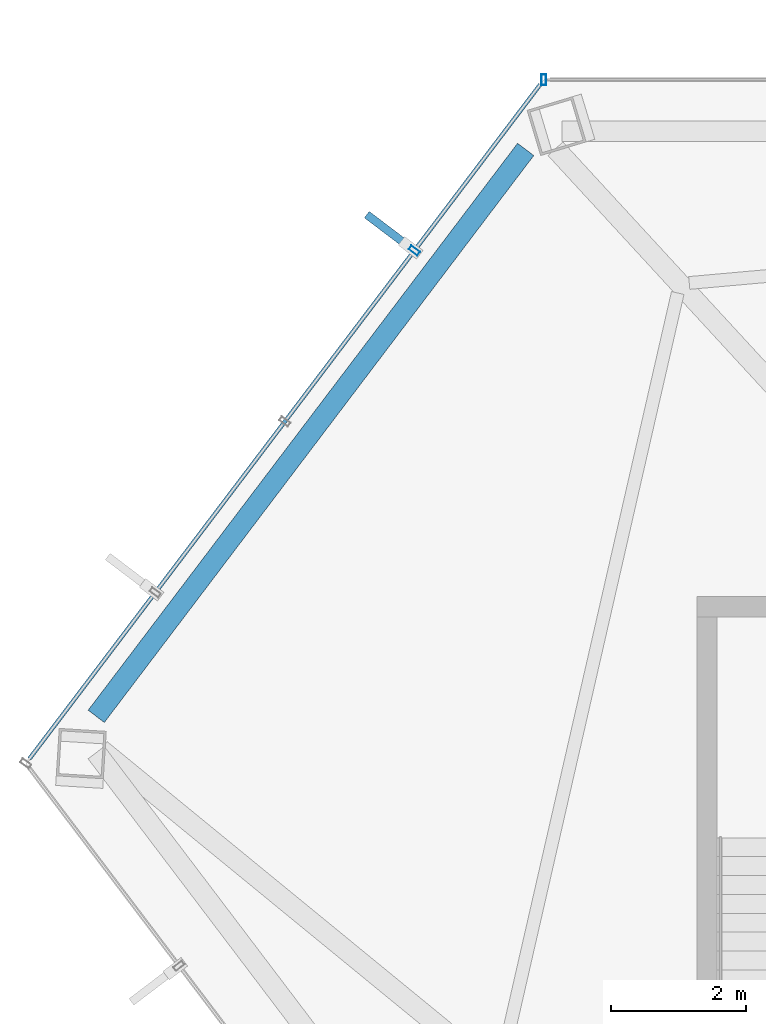
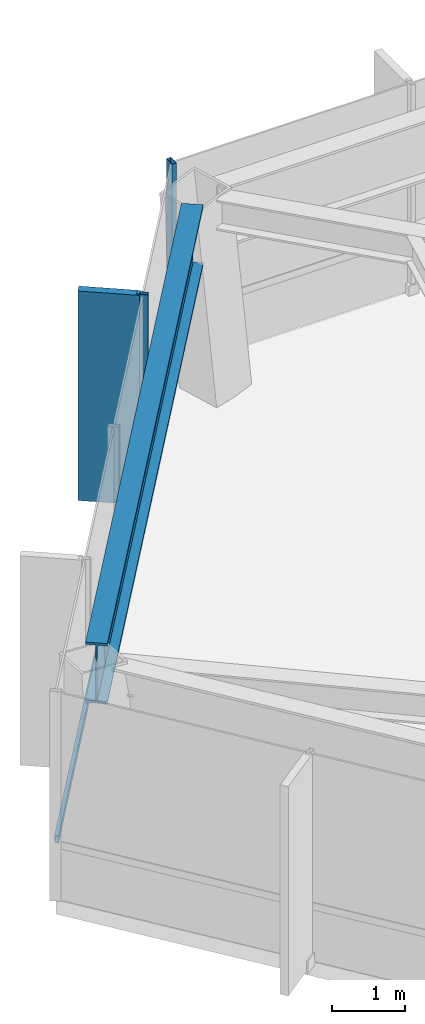
# One storey, part 11 of 27: 4 members, 1 beam, 2 elements without a shape of their own.
"""IFC4 building model written with IfcOpenShell, lengths in metres."""

import ifcopenshell
import ifcopenshell.guid

model = None  # the IFC model being written
_history = None  # IfcOwnerHistory: only IFC2X3 demands one
_inside = {}  # id of a spatial element -> (the spatial element, [elements in it])
_under = {}  # id of a project, library or spatial element -> (it, [spatial elements below it])
_declared = {}  # id of a project -> (the project, [libraries it declares])
_typed = {}  # id of a type object -> (the type object, [elements of that type])
_made_of = {}  # id of a material, layer set ... -> (it, [elements and type objects made of it])


def new_model(schema):
    """Start an empty IFC model of exactly this schema.

    Asked for "IFC4X3", IfcOpenShell would pick the latest addendum, in which some entities
    have other attributes; the version numbers below select the first issue.
    IFC2X3 requires an IfcOwnerHistory on every rooted entity: one is made here for all.
    """
    global model, _history
    if schema == "IFC4X3":
        model = ifcopenshell.file(schema_version=(4, 3, 0, 0))
    else:
        model = ifcopenshell.file(schema=schema)
    _inside.clear()
    _under.clear()
    _declared.clear()
    _typed.clear()
    _made_of.clear()
    _history = None
    if model.schema == "IFC2X3":
        org = make("IfcOrganization", Name="unknown")
        user = make(
            "IfcPersonAndOrganization",
            ThePerson=make("IfcPerson", FamilyName="unknown"),
            TheOrganization=org,
        )
        app = make(
            "IfcApplication",
            ApplicationDeveloper=org,
            Version="unknown",
            ApplicationFullName="unknown",
            ApplicationIdentifier="unknown",
        )
        _history = make(
            "IfcOwnerHistory",
            OwningUser=user,
            OwningApplication=app,
            ChangeAction="ADDED",
            CreationDate=0,
        )
    return model


def make(cls, **values):
    """One entity of the class cls with the attributes given. An attribute that is None is left unset."""
    return model.create_entity(
        cls, **{name: value for name, value in values.items() if value is not None}
    )


def rooted(cls, **values):
    """An entity with a GlobalId (a new one), such as an element, a storey or a relation."""
    return make(cls, GlobalId=ifcopenshell.guid.new(), OwnerHistory=_history, **values)


def si_unit(unit_type, name, prefix=None):
    """IfcSIUnit, for example si_unit("LENGTHUNIT", "METRE", prefix="MILLI")."""
    return make("IfcSIUnit", UnitType=unit_type, Prefix=prefix, Name=name)


def assignment(units):
    """IfcUnitAssignment: the units of a project."""
    return None if units is None else make("IfcUnitAssignment", Units=units)


def point(xyz):
    """IfcCartesianPoint."""
    return None if xyz is None else make("IfcCartesianPoint", Coordinates=xyz)


def direction(xyz):
    """IfcDirection."""
    return None if xyz is None else make("IfcDirection", DirectionRatios=xyz)


def frame(location, z_axis=None, x_axis=None):
    """IfcAxis2Placement3D, a coordinate frame: its origin and axes. An axis left out is left unset."""
    return make(
        "IfcAxis2Placement3D",
        Location=point(location),
        Axis=direction(z_axis),
        RefDirection=direction(x_axis),
    )


def frame_2d(location, x_axis=None):
    """IfcAxis2Placement2D, a coordinate frame in the plane: its origin and x axis."""
    return make(
        "IfcAxis2Placement2D", Location=point(location), RefDirection=direction(x_axis)
    )


def origin():
    """The frame at (0, 0, 0) with its axes left unset."""
    return frame((0.0, 0.0, 0.0))


def origin_2d():
    """The frame at (0, 0) in the plane with its x axis left unset."""
    return frame_2d((0.0, 0.0))


def place(relative_to, where):
    """IfcLocalPlacement: puts the frame where relative to a parent placement (None: the world)."""
    return make(
        "IfcLocalPlacement", PlacementRelTo=relative_to, RelativePlacement=where
    )


def context(
    kind, dimensions, precision=None, world=None, true_north=None, identifier=None
):
    """IfcGeometricRepresentationContext, for example the 3D "Model" context."""
    return make(
        "IfcGeometricRepresentationContext",
        ContextIdentifier=identifier,
        ContextType=kind,
        CoordinateSpaceDimension=dimensions,
        Precision=precision,
        WorldCoordinateSystem=world,
        TrueNorth=true_north,
    )


def subcontext(parent, identifier, kind, view, scale=None):
    """IfcGeometricRepresentationSubContext, for example "Body" below "Model"."""
    return make(
        "IfcGeometricRepresentationSubContext",
        ContextIdentifier=identifier,
        ContextType=kind,
        ParentContext=parent,
        TargetScale=scale,
        TargetView=view,
    )


def project(units=None, contexts=None):
    """IfcProject with its units and contexts."""
    return rooted(
        "IfcProject",
        Name="project",
        RepresentationContexts=contexts,
        UnitsInContext=assignment(units),
    )


def spatial(cls, under=None, at=None, **own):
    """A site, building, storey or space (cls), placed at a placement, below another one or the project."""
    s = rooted(cls, ObjectPlacement=at, **own)
    if under is not None:
        _under.setdefault(under.id(), (under, []))[1].append(s)
    return s


def profile(cls, at=None, kind="AREA", **sizes):
    """A parametric profile (cls). Its sizes go by their IFC names, for example OverallWidth=200.0."""
    return make(cls, ProfileType=kind, Position=at, **sizes)


def rectangle(**sizes):
    """IfcRectangleProfileDef."""
    return profile("IfcRectangleProfileDef", **sizes)


def hollow_rectangle(**sizes):
    """IfcRectangleHollowProfileDef."""
    return profile("IfcRectangleHollowProfileDef", **sizes)


def i_section(**sizes):
    """IfcIShapeProfileDef."""
    return profile("IfcIShapeProfileDef", **sizes)


def extrude(swept, where, along, depth):
    """IfcExtrudedAreaSolid: the profile swept, set in the frame where, extruded along a direction by depth."""
    return make(
        "IfcExtrudedAreaSolid",
        SweptArea=swept,
        Position=where,
        ExtrudedDirection=direction(along),
        Depth=depth,
    )


def shape(context_of_items, identifier, shape_type, items):
    """IfcShapeRepresentation: the items that make up one representation, for example the "Body"."""
    return make(
        "IfcShapeRepresentation",
        ContextOfItems=context_of_items,
        RepresentationIdentifier=identifier,
        RepresentationType=shape_type,
        Items=items,
    )


def material(Name=None, Category=None):
    """IfcMaterial."""
    return make("IfcMaterial", Name=Name, Category=Category)


def layer(
    of_material, thickness, ventilated=None, Name=None, Category=None, Priority=None
):
    """IfcMaterialLayer: one layer of a wall or slab, of a material (None: an air gap)."""
    return make(
        "IfcMaterialLayer",
        Material=of_material,
        LayerThickness=thickness,
        IsVentilated=ventilated,
        Name=Name,
        Category=Category,
        Priority=Priority,
    )


def layer_set(layers, Name=None):
    """IfcMaterialLayerSet."""
    return make("IfcMaterialLayerSet", MaterialLayers=layers, LayerSetName=Name)


def material_profile(
    of_material, cross_section, Name=None, Category=None, Priority=None
):
    """IfcMaterialProfile: a cross section and its material."""
    return make(
        "IfcMaterialProfile",
        Name=Name,
        Material=of_material,
        Profile=cross_section,
        Priority=Priority,
        Category=Category,
    )


def profile_set(profiles, Name=None, composite=None):
    """IfcMaterialProfileSet."""
    return make(
        "IfcMaterialProfileSet",
        Name=Name,
        MaterialProfiles=profiles,
        CompositeProfile=composite,
    )


def made_of(thing, what):
    """Note that an element or type object is made of a material, layer set ...; save() writes the relation."""
    if what is not None:
        _made_of.setdefault(what.id(), (what, []))[1].append(thing)
    return thing


def type_object(cls, material=None, **own):
    """A type object (cls), such as IfcWallType, which elements share."""
    return made_of(rooted(cls, **own), material)


def element(
    cls,
    number,
    at=None,
    inside=None,
    cuts=None,
    type_object=None,
    material=None,
    context=None,
    identifier="Body",
    shape_type=None,
    held_by="IfcProductDefinitionShape",
    body=None,
    shapes=None,
    **own,
):
    """One element of the class cls, such as IfcWall. Its Tag is "e" and its number.

    at: its placement. inside: the storey or other place that contains it. cuts: it is an
    opening in that element (IfcRelVoidsElement). A single representation is given by context,
    identifier, shape_type and body (its items); several are given by shapes. held_by: the class
    of the entity that holds the representations. save() writes the other relations.
    """
    e = rooted(cls, Tag="e%d" % number, ObjectPlacement=at, **own)
    if body is not None:
        shapes = [shape(context, identifier, shape_type, body)]
    if shapes is not None:
        e.Representation = make(held_by, Representations=shapes)
    if inside is not None:
        _inside.setdefault(inside.id(), (inside, []))[1].append(e)
    if cuts is not None:
        rooted(
            "IfcRelVoidsElement", RelatingBuildingElement=cuts, RelatedOpeningElement=e
        )
    if type_object is not None:
        _typed.setdefault(type_object.id(), (type_object, []))[1].append(e)
    return made_of(e, material)


def aggregate(whole, parts):
    """IfcRelAggregates: a whole, such as a stair, and the parts it consists of."""
    return rooted("IfcRelAggregates", RelatingObject=whole, RelatedObjects=parts)


def save(model, path):
    """Write the relations noted so far, then the file.

    IfcRelAggregates (storeys below a building ...), IfcRelContainedInSpatialStructure (elements
    in a storey), IfcRelDefinesByType, IfcRelAssociatesMaterial and IfcRelDeclares: one each for
    every whole, place, type object, material and project.
    """
    for whole, parts in _under.values():
        aggregate(whole, parts)
    for where, things in _inside.values():
        rooted(
            "IfcRelContainedInSpatialStructure",
            RelatedElements=things,
            RelatingStructure=where,
        )
    for kind, things in _typed.values():
        rooted("IfcRelDefinesByType", RelatedObjects=things, RelatingType=kind)
    for what, things in _made_of.values():
        rooted("IfcRelAssociatesMaterial", RelatedObjects=things, RelatingMaterial=what)
    for by, libraries in _declared.values():
        rooted("IfcRelDeclares", RelatingContext=by, RelatedDefinitions=libraries)
    model.write(path)


model = new_model("IFC4")

# Units and contexts
model_context = context("Model", 3, precision=1e-05, world=origin(), true_north=direction((0.0, 1.0)))
body_context = subcontext(model_context, "Body", "Model", "MODEL_VIEW")
ifc_project = project(units=[si_unit("LENGTHUNIT", "METRE"), si_unit("AREAUNIT", "SQUARE_METRE"), si_unit("VOLUMEUNIT", "CUBIC_METRE"), si_unit("PLANEANGLEUNIT", "RADIAN"), si_unit("MASSUNIT", "GRAM", prefix="KILO")], contexts=[model_context])

# Site, building, storey
site_placement = place(None, origin())
site = spatial("IfcSite", under=ifc_project, at=site_placement, CompositionType="ELEMENT")
building_placement = place(site_placement, origin())
building = spatial("IfcBuilding", under=site, at=building_placement, Name="Zarrinselat Tower", CompositionType="ELEMENT")
storey_placement = place(building_placement, frame((0.0, 0.0, 183.260009765625)))
storey = spatial("IfcBuildingStorey", under=building, at=storey_placement, Name="L45", CompositionType="ELEMENT", Elevation=183.260009765625)

# Beam
ifc_material_1 = material(Name="Steel S460M", Category="steel")
ifc_material_profile_1 = material_profile(ifc_material_1, i_section(OverallWidth=0.302001953125, OverallDepth=1.008056640625, WebThickness=0.02099609375, FlangeThickness=0.0400390625, at=origin_2d()), Name="HEM 1000")
ifc_profile_set_1 = profile_set([ifc_material_profile_1], Name="Steel S460M")
beam_type = type_object("IfcBeamType", Name="BM-HEM1000", PredefinedType="BEAM", material=ifc_profile_set_1)
beam_placement = place(storey_placement, frame((16.16650390625, 39.272216796875, 2.99609375), z_axis=(0.603841657077, 0.797104292535, 0.0), x_axis=(-0.797104292535, 0.603841657077, 0.0)))
element("IfcBeam", 1, at=beam_placement, inside=storey, type_object=beam_type, Name="L45 Perimeter Spandrel Girder SP05", PredefinedType="BEAM", context=body_context, shape_type="SweptSolid", body=[
    extrude(i_section(OverallWidth=0.302001953125, OverallDepth=1.008056640625, WebThickness=0.02099609375, FlangeThickness=0.0400390625, at=origin_2d()), origin(), (0.0, 0.0, 1.0), 10.555908203125),
])

# Curtain wall, member
ifc_material_2 = material(Name="Extruded Aluminium Alloy EN AW-6063 T6", Category="aluminium")
ifc_layer = layer(ifc_material_2, 0.175048828125)
ifc_layer_set = layer_set([ifc_layer], Name="Extruded Aluminium Alloy EN AW-6063 T6")
curtain_wall_type = type_object("IfcCurtainWallType", Name="CWS-HTL", PredefinedType="NOTDEFINED", material=ifc_layer_set)
curtain_wall_1_placement = place(storey_placement, origin())
curtain_wall_1 = element("IfcCurtainWall", 2, at=curtain_wall_1_placement, inside=storey, type_object=curtain_wall_type, Name="L45 Unitised Curtain Wall CW-L45-E01", PredefinedType="NOTDEFINED")
ifc_material_3 = material(Name="Extruded Aluminium Alloy EN AW-6063 T6", Category="aluminium")
ifc_material_profile_2 = material_profile(ifc_material_3, hollow_rectangle(XDim=0.070068359375, YDim=0.159912109375, WallThickness=0.00390625, at=origin_2d()), Name="RHS 160x70x4")
ifc_profile_set_2 = profile_set([ifc_material_profile_2], Name="Extruded Aluminium Alloy EN AW-6063 T6")
member_type_1 = type_object("IfcMemberType", Name="MEM-CW-MUL2", PredefinedType="MULLION", material=ifc_profile_set_2)
member_1_placement = place(storey_placement, frame((22.809814453125, 48.72216796875, 0.0), z_axis=(0.0, 0.0, 1.0), x_axis=(-1.0, 0.0, 0.0)))
member_1 = element("IfcMember", 3, at=member_1_placement, type_object=member_type_1, Name="CW-L45-E01 Mullion 10", PredefinedType="MULLION", context=body_context, shape_type="SweptSolid", body=[
    extrude(hollow_rectangle(XDim=0.070068359375, YDim=0.159912109375, WallThickness=0.00390625, at=origin_2d()), origin(), (0.0, 0.0, 1.0), 3.5),
])
aggregate(curtain_wall_1, [member_1])

# Curtain wall, members
curtain_wall_2_placement = place(storey_placement, origin())
curtain_wall_2 = element("IfcCurtainWall", 4, at=curtain_wall_2_placement, inside=storey, type_object=curtain_wall_type, Name="L45 Unitised Curtain Wall CW-L45-E02", PredefinedType="NOTDEFINED")
member_2_placement = place(storey_placement, frame((20.887451171875, 46.1845703125, 0.0), z_axis=(0.0, 0.0, 1.0), x_axis=(-0.603859048702, -0.797091117314, 0.0)))
member_2 = element("IfcMember", 5, at=member_2_placement, type_object=member_type_1, Name="CW-L45-E02 Mullion 1", PredefinedType="MULLION", context=body_context, shape_type="SweptSolid", body=[
    extrude(hollow_rectangle(XDim=0.070068359375, YDim=0.159912109375, WallThickness=0.00390625, at=origin_2d()), origin(), (0.0, 0.0, 1.0), 3.5),
])
ifc_material_4 = material(Name="Extruded Aluminium Alloy EN AW-6063 T6", Category="aluminium")
ifc_material_profile_3 = material_profile(ifc_material_4, hollow_rectangle(XDim=0.06005859375, YDim=0.1201171875, WallThickness=0.00390625, at=origin_2d()), Name="RHS 120x60x4")
ifc_profile_set_3 = profile_set([ifc_material_profile_3], Name="Extruded Aluminium Alloy EN AW-6063 T6")
member_type_2 = type_object("IfcMemberType", Name="MEM-CW-TRN2", PredefinedType="USERDEFINED", material=ifc_profile_set_3)
member_3_placement = place(storey_placement, frame((22.755615234375, 48.650390625, 0.949951171875), z_axis=(-0.603866673656, -0.797085340756, 0.0), x_axis=(0.797085340756, -0.603866673656, 0.0)))
member_3 = element("IfcMember", 6, at=member_3_placement, type_object=member_type_2, Name="CW-L45-E02 Transom 1", ObjectType="TRANSOM", PredefinedType="USERDEFINED", context=body_context, shape_type="SweptSolid", body=[
    extrude(hollow_rectangle(XDim=0.06005859375, YDim=0.1201171875, WallThickness=0.00390625, at=origin_2d()), origin(), (0.0, 0.0, 1.0), 12.5546875),
])
ifc_material_5 = material(Name="Honed Cream Travertine Stone", Category="masonry")
ifc_material_profile_4 = material_profile(ifc_material_5, rectangle(XDim=0.1201171875, YDim=0.85009765625, at=origin_2d()), Name="FIN 850x120")
ifc_profile_set_4 = profile_set([ifc_material_profile_4], Name="Honed Cream Travertine Stone")
member_type_3 = type_object("IfcMemberType", Name="MEM-STONE-FIN", PredefinedType="USERDEFINED", material=ifc_profile_set_4)
member_4_placement = place(storey_placement, frame((20.520751953125, 46.46240234375, 0.0), z_axis=(0.0, 0.0, 1.0), x_axis=(0.603859048702, 0.797091117314, 0.0)))
member_4 = element("IfcMember", 7, at=member_4_placement, type_object=member_type_3, Name="L45 Stone Shading Fin CW-L45-E02-01", ObjectType="FIN", PredefinedType="USERDEFINED", context=body_context, shape_type="SweptSolid", body=[
    extrude(rectangle(XDim=0.1201171875, YDim=0.85009765625, at=origin_2d()), origin(), (0.0, 0.0, 1.0), 3.5),
])
aggregate(curtain_wall_2, [member_2, member_4, member_3])

save(model, "model.ifc")
